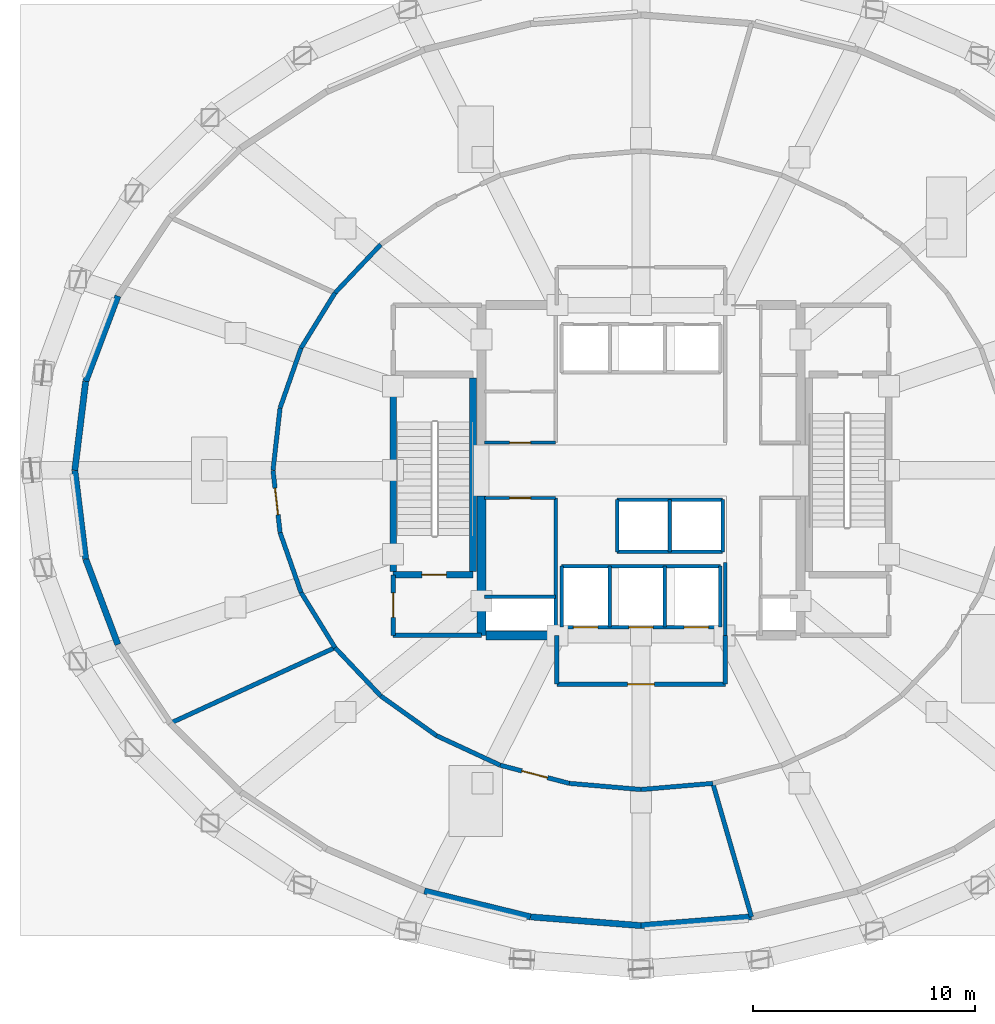
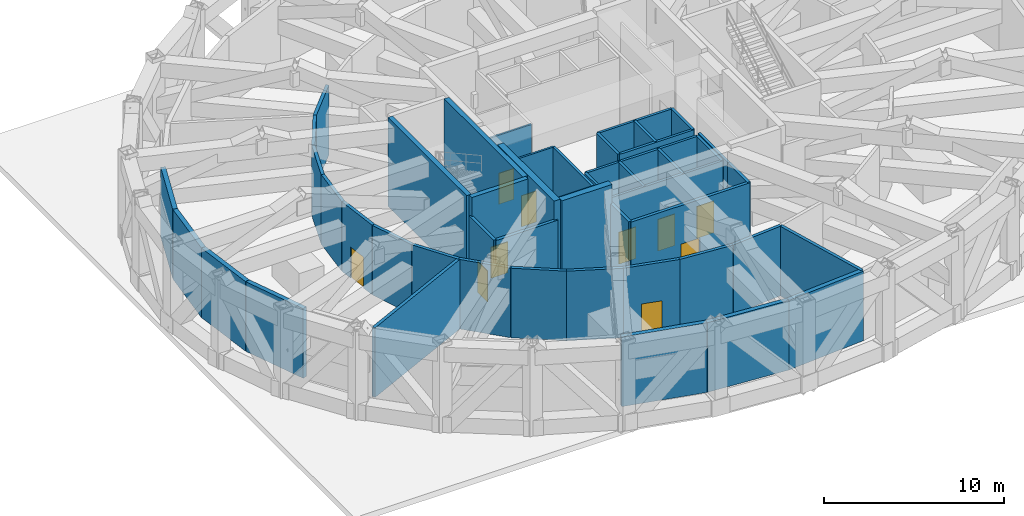
# One storey, part 5 of 12: 48 walls, 10 doors, 10 openings.
"""IFC4 building model written with IfcOpenShell, lengths in metres."""

from ifc_helpers import new_model, si_unit, direction, frame, frame_2d, origin, place, context, subcontext, project, spatial, rectangle, extrude, material, layer, layer_set, type_object, element, fill, save


model = new_model("IFC4")

# Units and contexts
model_context = context("Model", 3, precision=1e-05, world=origin(), true_north=direction((0.0, 1.0)))
body_context = subcontext(model_context, "Body", "Model", "MODEL_VIEW")
ifc_project = project(units=[si_unit("LENGTHUNIT", "METRE"), si_unit("AREAUNIT", "SQUARE_METRE"), si_unit("VOLUMEUNIT", "CUBIC_METRE"), si_unit("PLANEANGLEUNIT", "RADIAN"), si_unit("MASSUNIT", "GRAM", prefix="KILO")], contexts=[model_context])

# Site, building, storey
site_placement = place(None, origin())
site = spatial("IfcSite", under=ifc_project, at=site_placement, CompositionType="ELEMENT")
building_placement = place(site_placement, origin())
building = spatial("IfcBuilding", under=site, at=building_placement, Name="Veldorina Hangang Commons", CompositionType="ELEMENT")
storey_placement = place(building_placement, frame((0.0, 0.0, 24.39990234375)))
storey = spatial("IfcBuildingStorey", under=building, at=storey_placement, Name="L05", CompositionType="ELEMENT", Elevation=24.39990234375)

# Walls
ifc_material_1 = material(Name="Concrete C70/85", Category="concrete")
ifc_layer_1 = layer(ifc_material_1, 0.39990234375)
ifc_layer_set_1 = layer_set([ifc_layer_1], Name="Concrete C70/85")
wall_type_1 = type_object("IfcWallType", Name="CW-RC400-C70", PredefinedType="SHEAR", material=ifc_layer_set_1)
wall_1_placement = place(storey_placement, frame((24.800048828125, 16.550048828125, 0.0), z_axis=(0.0, 0.0, 1.0), x_axis=(0.0, 1.0, 0.0)))
element("IfcWall", 1, at=wall_1_placement, inside=storey, type_object=wall_type_1, Name="L05 W south core shear wall", PredefinedType="SHEAR", context=body_context, shape_type="SweptSolid", body=[
    extrude(rectangle(XDim=6.300048828125, YDim=0.39990234375, at=frame_2d((3.14990234375, 0.0))), origin(), (0.0, 0.0, 1.0), 6.0),
])
wall_2_placement = place(storey_placement, frame((25.0, 16.550048828125, 0.0), z_axis=(0.0, 0.0, 1.0), x_axis=(1.0, 0.0, 0.0)))
element("IfcWall", 2, at=wall_2_placement, inside=storey, type_object=wall_type_1, Name="L05 south-west core shear wall", PredefinedType="SHEAR", context=body_context, shape_type="SweptSolid", body=[
    extrude(rectangle(XDim=3.199951171875, YDim=0.39990234375, at=frame_2d((1.60009765625, 0.0))), origin(), (0.0, 0.0, 1.0), 6.0),
])
ifc_material_2 = material(Name="Stone Roman Travertine", Category="masonry")
ifc_layer_2 = layer(ifc_material_2, 0.280029296875)
ifc_layer_set_2 = layer_set([ifc_layer_2], Name="Stone Roman Travertine")
wall_type_2 = type_object("IfcWallType", Name="EW-TRAV-280", PredefinedType="STANDARD", material=ifc_layer_set_2)
wall_3_placement = place(storey_placement, frame((8.404052734375, 31.8603515625, 0.0), z_axis=(0.0, 0.0, 1.0), x_axis=(-0.352909401731, -0.935657498324, 0.0)))
element("IfcWall", 3, at=wall_3_placement, inside=storey, type_object=wall_type_2, Name="L05 transfer plant exterior stone wall 14", PredefinedType="STANDARD", context=body_context, shape_type="SweptSolid", body=[
    extrude(rectangle(XDim=4.1181640625, YDim=0.280029296875, at=frame_2d((2.05908203125, 0.0))), origin(), (0.0, 0.0, 1.0), 4.710205078125),
])
for number, where, z_axis, x_axis, name in (
    (4, (6.95068359375, 28.007080078125, 0.0), (0.0, 0.0, 1.0), (-0.121555781987, -0.992584601868, 0.0), "L05 transfer plant exterior stone wall 15"),
    (5, (6.4599609375, 24.0, 0.0), (0.0, 0.0, 1.0), (0.121555781987, -0.992584601868, 0.0), "L05 transfer plant exterior stone wall 16"),
):
    element("IfcWall", number, at=place(storey_placement, frame(where, z_axis=z_axis, x_axis=x_axis)), inside=storey, type_object=wall_type_2, Name=name, PredefinedType="STANDARD", context=body_context, shape_type="SweptSolid", body=[
        extrude(rectangle(XDim=4.037109375, YDim=0.280029296875, at=frame_2d((2.0185546875, 0.0))), origin(), (0.0, 0.0, 1.0), 4.710205078125),
    ])
wall_4_placement = place(storey_placement, frame((6.95068359375, 19.992919921875, 0.0), z_axis=(0.0, 0.0, 1.0), x_axis=(0.352909401731, -0.935657498324, 0.0)))
element("IfcWall", 6, at=wall_4_placement, inside=storey, type_object=wall_type_2, Name="L05 transfer plant exterior stone wall 17", PredefinedType="STANDARD", context=body_context, shape_type="SweptSolid", body=[
    extrude(rectangle(XDim=4.1181640625, YDim=0.280029296875, at=frame_2d((2.05908203125, 0.0))), origin(), (0.0, 0.0, 1.0), 4.710205078125),
])
wall_5_placement = place(storey_placement, frame((22.226318359375, 5.0234375, 0.0), z_axis=(0.0, 0.0, 1.0), x_axis=(0.97151283312, -0.236986951292, 0.0)))
element("IfcWall", 7, at=wall_5_placement, inside=storey, type_object=wall_type_2, Name="L05 transfer plant exterior stone wall 22", PredefinedType="STANDARD", context=body_context, shape_type="SweptSolid", body=[
    extrude(rectangle(XDim=4.931396484375, YDim=0.280029296875, at=frame_2d((2.4658203125, 0.0))), origin(), (0.0, 0.0, 1.0), 4.710205078125),
])
for number, where, z_axis, x_axis, name in (
    (8, (27.017333984375, 3.854736328125, 0.0), (0.0, 0.0, 1.0), (0.996876023292, -0.078982239682, 0.0), "L05 transfer plant exterior stone wall 23"),
    (9, (32.0, 3.4599609375, 0.0), (0.0, 0.0, 1.0), (0.996876023292, 0.078982239682, 0.0), "L05 transfer plant exterior stone wall 24"),
):
    element("IfcWall", number, at=place(storey_placement, frame(where, z_axis=z_axis, x_axis=x_axis)), inside=storey, type_object=wall_type_2, Name=name, PredefinedType="STANDARD", context=body_context, shape_type="SweptSolid", body=[
        extrude(rectangle(XDim=4.998291015625, YDim=0.280029296875, at=frame_2d((2.4990234375, 0.0))), origin(), (0.0, 0.0, 1.0), 4.710205078125),
    ])
ifc_material_3 = material(Name="Concrete C50/60", Category="concrete")
ifc_layer_3 = layer(ifc_material_3, 0.300048828125)
ifc_layer_set_3 = layer_set([ifc_layer_3], Name="Concrete C50/60")
wall_type_3 = type_object("IfcWallType", Name="SW-STAIR-300", PredefinedType="SHEAR", material=ifc_layer_set_3)
for number, where, z_axis, x_axis, name in (
    (10, (20.820068359375, 19.429931640625, 0.0), (0.0, 0.0, 1.0), (0.0, 1.0, 0.0), "L05 ST1 outer stair shear wall"),
    (11, (24.419921875, 19.429931640625, 0.0), (0.0, 0.0, 1.0), (0.0, 1.0, 0.0), "L05 ST1 inner stair shear wall"),
):
    element("IfcWall", number, at=place(storey_placement, frame(where, z_axis=z_axis, x_axis=x_axis)), inside=storey, type_object=wall_type_3, Name=name, PredefinedType="SHEAR", context=body_context, shape_type="SweptSolid", body=[
        extrude(rectangle(XDim=8.739990234375, YDim=0.300048828125, at=frame_2d((4.3701171875, 0.0))), origin(), (0.0, 0.0, 1.0), 6.0),
    ])

# Wall, opening, door
wall_6_placement = place(storey_placement, frame((20.820068359375, 19.280029296875, 0.0), z_axis=(0.0, 0.0, 1.0), x_axis=(1.0, 0.0, 0.0)))
wall_6 = element("IfcWall", 12, at=wall_6_placement, inside=storey, type_object=wall_type_3, Name="L05 ST1 south stair shear wall", PredefinedType="SHEAR", context=body_context, shape_type="SweptSolid", body=[
    extrude(rectangle(XDim=3.599853515625, YDim=0.300048828125, at=frame_2d((1.7998046875, 0.0))), origin(), (0.0, 0.0, 1.0), 6.0),
])
opening_1_placement = place(wall_6_placement, frame((1.300048828125, 0.0, 0.0)))
opening_1 = element("IfcOpeningElement", 13, at=opening_1_placement, cuts=wall_6, Name="Opening D-08", PredefinedType="OPENING", context=body_context, shape_type="SweptSolid", body=[
    extrude(rectangle(XDim=1.10009765625, YDim=2.10009765625, at=frame_2d((0.550048828125, 1.050048828125))), frame((0.0, 0.16015625, 0.0), z_axis=(0.0, -1.0, 0.0), x_axis=(1.0, 0.0, 0.0)), (0.0, 0.0, 1.0), 0.320068359375),
])
ifc_material_4 = material(Name="Steel Fire-Rated Smoke Seal", Category="steel")
door_type_1 = type_object("IfcDoorType", Name="DR-FIRE-1100", OperationType="SINGLE_SWING_RIGHT", PredefinedType="DOOR", material=ifc_material_4)
door_1_placement = place(opening_1_placement, origin())
door_1 = element("IfcDoor", 14, at=door_1_placement, inside=storey, type_object=door_type_1, Name="L05 Special Escape Stair ST-1 door", OperationType="SINGLE_SWING_LEFT", OverallHeight=2.10009765625, OverallWidth=1.10009765625, PredefinedType="DOOR", context=body_context, shape_type="SweptSolid", body=[
    extrude(rectangle(XDim=1.10009765625, YDim=2.10009765625, at=frame_2d((0.550048828125, 1.050048828125))), frame((0.0, 0.02490234375, 0.0), z_axis=(0.0, -1.0, 0.0), x_axis=(1.0, 0.0, 0.0)), (0.0, 0.0, 1.0), 0.050048828125),
])
fill(opening_1, door_1)

# Walls
ifc_material_5 = material(Name="Gypsum Fire-Rated Twin Stud Wall", Category="gypsum")
ifc_layer_4 = layer(ifc_material_5, 0.159912109375)
ifc_layer_set_4 = layer_set([ifc_layer_4], Name="Gypsum Fire-Rated Twin Stud Wall")
wall_type_4 = type_object("IfcWallType", Name="WL-FIRE-160", PredefinedType="SOLIDWALL", material=ifc_layer_set_4)
wall_7_placement = place(storey_placement, frame((35.800048828125, 16.550048828125, 0.0), z_axis=(0.0, 0.0, 1.0), x_axis=(0.0, 1.0, 0.0)))
element("IfcWall", 15, at=wall_7_placement, inside=storey, type_object=wall_type_4, Name="L05 Lift passage SW wall 009", PredefinedType="SOLIDWALL", context=body_context, shape_type="SweptSolid", body=[
    extrude(rectangle(XDim=3.300048828125, YDim=0.159912109375, at=frame_2d((1.64990234375, 0.0))), origin(), (0.0, 0.0, 1.0), 4.710205078125),
])
for number, where, z_axis, x_axis, name in (
    (16, (30.919921875, 22.679931640625, 0.0), (0.0, 0.0, 1.0), (1.0, 0.0, 0.0), "L05 Shuttle-high front shaft wall 021"),
    (17, (30.919921875, 20.320068359375, 0.0), (0.0, 0.0, 1.0), (1.0, 0.0, 0.0), "L05 Shuttle-high rear shaft wall 022"),
):
    element("IfcWall", number, at=place(storey_placement, frame(where, z_axis=z_axis, x_axis=x_axis)), inside=storey, type_object=wall_type_4, Name=name, PredefinedType="SOLIDWALL", context=body_context, shape_type="SweptSolid", body=[
        extrude(rectangle(XDim=4.760009765625, YDim=0.159912109375, at=frame_2d((2.3798828125, 0.0))), origin(), (0.0, 0.0, 1.0), 4.710205078125),
    ])
for number, where, z_axis, x_axis, name in (
    (18, (30.919921875, 20.320068359375, 0.0), (0.0, 0.0, 1.0), (0.0, 1.0, 0.0), "L05 SL-1 west shaft wall 023"),
    (19, (33.300048828125, 20.320068359375, 0.0), (0.0, 0.0, 1.0), (0.0, 1.0, 0.0), "L05 SL-1 east shaft wall 024"),
    (20, (35.679931640625, 20.320068359375, 0.0), (0.0, 0.0, 1.0), (0.0, 1.0, 0.0), "L05 SL-2 east shaft wall 025"),
):
    element("IfcWall", number, at=place(storey_placement, frame(where, z_axis=z_axis, x_axis=x_axis)), inside=storey, type_object=wall_type_4, Name=name, PredefinedType="SOLIDWALL", context=body_context, shape_type="SweptSolid", body=[
        extrude(rectangle(XDim=2.35986328125, YDim=0.159912109375, at=frame_2d((1.179931640625, 0.0))), origin(), (0.0, 0.0, 1.0), 4.710205078125),
    ])

# Wall, openings, doors
wall_8_placement = place(storey_placement, frame((28.419921875, 16.919921875, 0.0), z_axis=(0.0, 0.0, 1.0), x_axis=(1.0, 0.0, 0.0)))
wall_8 = element("IfcWall", 21, at=wall_8_placement, inside=storey, type_object=wall_type_4, Name="L05 Emergency front shaft wall 026", PredefinedType="SOLIDWALL", context=body_context, shape_type="SweptSolid", body=[
    extrude(rectangle(XDim=7.16015625, YDim=0.159912109375, at=frame_2d((3.580078125, 0.0))), origin(), (0.0, 0.0, 1.0), 4.710205078125),
])
opening_2_placement = place(wall_8_placement, frame((0.530029296875, 0.0, 0.0)))
opening_2 = element("IfcOpeningElement", 22, at=opening_2_placement, cuts=wall_8, Name="Opening LD-03", PredefinedType="OPENING", context=body_context, shape_type="SweptSolid", body=[
    extrude(rectangle(XDim=1.10009765625, YDim=2.14990234375, at=frame_2d((0.550048828125, 1.074951171875))), frame((0.0, 0.08984375, 0.0), z_axis=(0.0, -1.0, 0.0), x_axis=(1.0, 0.0, 0.0)), (0.0, 0.0, 1.0), 0.179931640625),
])
opening_3_placement = place(wall_8_placement, frame((3.030029296875, 0.0, 0.0)))
opening_3 = element("IfcOpeningElement", 23, at=opening_3_placement, cuts=wall_8, Name="Opening LD-03", PredefinedType="OPENING", context=body_context, shape_type="SweptSolid", body=[
    extrude(rectangle(XDim=1.10009765625, YDim=2.14990234375, at=frame_2d((0.550048828125, 1.074951171875))), frame((0.0, 0.08984375, 0.0), z_axis=(0.0, -1.0, 0.0), x_axis=(1.0, 0.0, 0.0)), (0.0, 0.0, 1.0), 0.179931640625),
])
opening_4_placement = place(wall_8_placement, frame((5.530029296875, 0.0, 0.0)))
opening_4 = element("IfcOpeningElement", 24, at=opening_4_placement, cuts=wall_8, Name="Opening LD-03", PredefinedType="OPENING", context=body_context, shape_type="SweptSolid", body=[
    extrude(rectangle(XDim=1.10009765625, YDim=2.14990234375, at=frame_2d((0.550048828125, 1.074951171875))), frame((0.0, 0.08984375, 0.0), z_axis=(0.0, -1.0, 0.0), x_axis=(1.0, 0.0, 0.0)), (0.0, 0.0, 1.0), 0.179931640625),
])
ifc_material_6 = material(Name="Stainless Steel Firefighting Lift Door", Category="steel")
door_type_2 = type_object("IfcDoorType", Name="DR-LIFT-FF1100", OperationType="SLIDING_TO_RIGHT", PredefinedType="DOOR", material=ifc_material_6)
door_2_placement = place(opening_2_placement, origin())
door_2 = element("IfcDoor", 25, at=door_2_placement, inside=storey, type_object=door_type_2, Name="L05 Emergency lift FFL-1 landing door 009", OperationType="SLIDING_TO_RIGHT", OverallHeight=2.14990234375, OverallWidth=1.10009765625, PredefinedType="DOOR", context=body_context, shape_type="SweptSolid", body=[
    extrude(rectangle(XDim=1.10009765625, YDim=2.14990234375, at=frame_2d((0.550048828125, 1.074951171875))), frame((0.0, 0.02490234375, 0.0), z_axis=(0.0, -1.0, 0.0), x_axis=(1.0, 0.0, 0.0)), (0.0, 0.0, 1.0), 0.050048828125),
])
fill(opening_2, door_2)
door_3_placement = place(opening_3_placement, origin())
door_3 = element("IfcDoor", 26, at=door_3_placement, inside=storey, type_object=door_type_2, Name="L05 Emergency lift FFL-2 landing door 010", OperationType="SLIDING_TO_RIGHT", OverallHeight=2.14990234375, OverallWidth=1.10009765625, PredefinedType="DOOR", context=body_context, shape_type="SweptSolid", body=[
    extrude(rectangle(XDim=1.10009765625, YDim=2.14990234375, at=frame_2d((0.550048828125, 1.074951171875))), frame((0.0, 0.02490234375, 0.0), z_axis=(0.0, -1.0, 0.0), x_axis=(1.0, 0.0, 0.0)), (0.0, 0.0, 1.0), 0.050048828125),
])
fill(opening_3, door_3)
door_4_placement = place(opening_4_placement, origin())
door_4 = element("IfcDoor", 27, at=door_4_placement, inside=storey, type_object=door_type_2, Name="L05 Emergency lift EVL-1 landing door 011", OperationType="SLIDING_TO_RIGHT", OverallHeight=2.14990234375, OverallWidth=1.10009765625, PredefinedType="DOOR", context=body_context, shape_type="SweptSolid", body=[
    extrude(rectangle(XDim=1.10009765625, YDim=2.14990234375, at=frame_2d((0.550048828125, 1.074951171875))), frame((0.0, 0.02490234375, 0.0), z_axis=(0.0, -1.0, 0.0), x_axis=(1.0, 0.0, 0.0)), (0.0, 0.0, 1.0), 0.050048828125),
])
fill(opening_4, door_4)

# Walls
wall_9_placement = place(storey_placement, frame((28.419921875, 19.679931640625, 0.0), z_axis=(0.0, 0.0, 1.0), x_axis=(1.0, 0.0, 0.0)))
element("IfcWall", 28, at=wall_9_placement, inside=storey, type_object=wall_type_4, Name="L05 Emergency rear shaft wall 027", PredefinedType="SOLIDWALL", context=body_context, shape_type="SweptSolid", body=[
    extrude(rectangle(XDim=7.16015625, YDim=0.159912109375, at=frame_2d((3.580078125, 0.0))), origin(), (0.0, 0.0, 1.0), 4.710205078125),
])
for number, where, z_axis, x_axis, name in (
    (29, (28.419921875, 16.919921875, 0.0), (0.0, 0.0, 1.0), (0.0, 1.0, 0.0), "L05 FFL-1 west shaft wall 028"),
    (30, (30.580078125, 16.919921875, 0.0), (0.0, 0.0, 1.0), (0.0, 1.0, 0.0), "L05 FFL-1 east shaft wall 029"),
    (31, (33.080078125, 16.919921875, 0.0), (0.0, 0.0, 1.0), (0.0, 1.0, 0.0), "L05 FFL-2 east shaft wall 030"),
    (32, (35.580078125, 16.919921875, 0.0), (0.0, 0.0, 1.0), (0.0, 1.0, 0.0), "L05 EVL-1 east shaft wall 031"),
):
    element("IfcWall", number, at=place(storey_placement, frame(where, z_axis=z_axis, x_axis=x_axis)), inside=storey, type_object=wall_type_4, Name=name, PredefinedType="SOLIDWALL", context=body_context, shape_type="SweptSolid", body=[
        extrude(rectangle(XDim=2.760009765625, YDim=0.159912109375, at=frame_2d((1.3798828125, 0.0))), origin(), (0.0, 0.0, 1.0), 4.710205078125),
    ])
wall_10_placement = place(storey_placement, frame((24.949951171875, 18.300048828125, 0.0), z_axis=(0.0, 0.0, 1.0), x_axis=(1.0, 0.0, 0.0)))
element("IfcWall", 33, at=wall_10_placement, inside=storey, type_object=wall_type_4, Name="L05 Electrical riser wall 035", PredefinedType="SOLIDWALL", context=body_context, shape_type="SweptSolid", body=[
    extrude(rectangle(XDim=3.199951171875, YDim=0.159912109375, at=frame_2d((1.60009765625, 0.0))), origin(), (0.0, 0.0, 1.0), 4.710205078125),
])
wall_11_placement = place(storey_placement, frame((28.14990234375, 16.699951171875, 0.0), z_axis=(0.0, 0.0, 1.0), x_axis=(0.0, 1.0, 0.0)))
element("IfcWall", 34, at=wall_11_placement, inside=storey, type_object=wall_type_4, Name="L05 SW core inner wall 036", PredefinedType="SOLIDWALL", context=body_context, shape_type="SweptSolid", body=[
    extrude(rectangle(XDim=6.050048828125, YDim=0.159912109375, at=frame_2d((3.02490234375, 0.0))), origin(), (0.0, 0.0, 1.0), 4.710205078125),
])

# Wall, opening, door
ifc_material_7 = material(Name="Concrete Blockwork Fire Wall C30/37", Category="masonry")
ifc_layer_5 = layer(ifc_material_7, 0.199951171875)
ifc_layer_set_5 = layer_set([ifc_layer_5], Name="Concrete Blockwork Fire Wall C30/37")
wall_type_5 = type_object("IfcWallType", Name="WL-FIRE-200", PredefinedType="SOLIDWALL", material=ifc_layer_set_5)
wall_12_placement = place(storey_placement, frame((20.820068359375, 16.550048828125, 0.0), z_axis=(0.0, 0.0, 1.0), x_axis=(0.0, 1.0, 0.0)))
wall_12 = element("IfcWall", 35, at=wall_12_placement, inside=storey, type_object=wall_type_5, Name="L05 West vestibule outer wall 001", PredefinedType="SOLIDWALL", context=body_context, shape_type="SweptSolid", body=[
    extrude(rectangle(XDim=2.72998046875, YDim=0.199951171875, at=frame_2d((1.364990234375, 0.0))), origin(), (0.0, 0.0, 1.0), 4.710205078125),
])
opening_5_placement = place(wall_12_placement, frame((0.81494140625, 0.0, 0.0)))
opening_5 = element("IfcOpeningElement", 36, at=opening_5_placement, cuts=wall_12, Name="Opening D-08", PredefinedType="OPENING", context=body_context, shape_type="SweptSolid", body=[
    extrude(rectangle(XDim=1.10009765625, YDim=2.10009765625, at=frame_2d((0.550048828125, 1.050048828125))), frame((0.0, 0.10986328125, 0.0), z_axis=(0.0, -1.0, 0.0), x_axis=(1.0, 0.0, 0.0)), (0.0, 0.0, 1.0), 0.219970703125),
])
door_5_placement = place(opening_5_placement, origin())
door_5 = element("IfcDoor", 37, at=door_5_placement, inside=storey, type_object=door_type_1, Name="L05 West vestibule west door 001", OperationType="SINGLE_SWING_LEFT", OverallHeight=2.10009765625, OverallWidth=1.10009765625, PredefinedType="DOOR", context=body_context, shape_type="SweptSolid", body=[
    extrude(rectangle(XDim=1.10009765625, YDim=2.10009765625, at=frame_2d((0.550048828125, 1.050048828125))), frame((0.0, 0.02490234375, 0.0), z_axis=(0.0, -1.0, 0.0), x_axis=(1.0, 0.0, 0.0)), (0.0, 0.0, 1.0), 0.050048828125),
])
fill(opening_5, door_5)

# Walls
wall_13_placement = place(storey_placement, frame((20.820068359375, 16.550048828125, 0.0), z_axis=(0.0, 0.0, 1.0), x_axis=(1.0, 0.0, 0.0)))
element("IfcWall", 38, at=wall_13_placement, inside=storey, type_object=wall_type_5, Name="L05 West vestibule south wall 002", PredefinedType="SOLIDWALL", context=body_context, shape_type="SweptSolid", body=[
    extrude(rectangle(XDim=3.97998046875, YDim=0.199951171875, at=frame_2d((1.989990234375, 0.0))), origin(), (0.0, 0.0, 1.0), 4.710205078125),
])
for number, where, z_axis, x_axis, name in (
    (39, (28.199951171875, 14.35009765625, 0.0), (0.0, 0.0, 1.0), (0.0, 1.0, 0.0), "L05 FF lobby west wall 012"),
    (40, (35.800048828125, 14.35009765625, 0.0), (0.0, 0.0, 1.0), (0.0, 1.0, 0.0), "L05 FF lobby east wall 013"),
):
    element("IfcWall", number, at=place(storey_placement, frame(where, z_axis=z_axis, x_axis=x_axis)), inside=storey, type_object=wall_type_5, Name=name, PredefinedType="SOLIDWALL", context=body_context, shape_type="SweptSolid", body=[
        extrude(rectangle(XDim=2.199951171875, YDim=0.199951171875, at=frame_2d((1.10009765625, 0.0))), origin(), (0.0, 0.0, 1.0), 4.710205078125),
    ])

# Wall, opening, door
wall_14_placement = place(storey_placement, frame((28.199951171875, 14.35009765625, 0.0), z_axis=(0.0, 0.0, 1.0), x_axis=(1.0, 0.0, 0.0)))
wall_14 = element("IfcWall", 41, at=wall_14_placement, inside=storey, type_object=wall_type_5, Name="L05 FF lobby south wall 014", PredefinedType="SOLIDWALL", context=body_context, shape_type="SweptSolid", body=[
    extrude(rectangle(XDim=7.60009765625, YDim=0.199951171875, at=frame_2d((3.800048828125, 0.0))), origin(), (0.0, 0.0, 1.0), 4.710205078125),
])
opening_6_placement = place(wall_14_placement, frame((3.199951171875, 0.0, 0.0)))
opening_6 = element("IfcOpeningElement", 42, at=opening_6_placement, cuts=wall_14, Name="Opening D-09", PredefinedType="OPENING", context=body_context, shape_type="SweptSolid", body=[
    extrude(rectangle(XDim=1.199951171875, YDim=2.10009765625, at=frame_2d((0.60009765625, 1.050048828125))), frame((0.0, 0.10986328125, 0.0), z_axis=(0.0, -1.0, 0.0), x_axis=(1.0, 0.0, 0.0)), (0.0, 0.0, 1.0), 0.219970703125),
])
ifc_material_8 = material(Name="Steel Fire-Rated Corridor Door", Category="steel")
door_type_3 = type_object("IfcDoorType", Name="DR-FIRE-1200", OperationType="SINGLE_SWING_LEFT", PredefinedType="DOOR", material=ifc_material_8)
door_6_placement = place(opening_6_placement, origin())
door_6 = element("IfcDoor", 43, at=door_6_placement, inside=storey, type_object=door_type_3, Name="L05 FF lobby south corridor door 005", OperationType="SINGLE_SWING_LEFT", OverallHeight=2.10009765625, OverallWidth=1.199951171875, PredefinedType="DOOR", context=body_context, shape_type="SweptSolid", body=[
    extrude(rectangle(XDim=1.199951171875, YDim=2.10009765625, at=frame_2d((0.60009765625, 1.050048828125))), frame((0.0, 0.02490234375, 0.0), z_axis=(0.0, -1.0, 0.0), x_axis=(1.0, 0.0, 0.0)), (0.0, 0.0, 1.0), 0.050048828125),
])
fill(opening_6, door_6)

# Walls
wall_15_placement = place(storey_placement, frame((20.261962890625, 34.182373046875, 0.0), z_axis=(0.0, 0.0, 1.0), x_axis=(-0.687248541225, -0.726422358263, 0.0)))
element("IfcWall", 44, at=wall_15_placement, inside=storey, type_object=wall_type_5, Name="L05 L05 corridor wall 12 059", PredefinedType="SOLIDWALL", context=body_context, shape_type="SweptSolid", body=[
    extrude(rectangle(XDim=3.00390625, YDim=0.199951171875, at=frame_2d((1.501953125, 0.0))), origin(), (0.0, 0.0, 1.0), 4.710205078125),
])
wall_16_placement = place(storey_placement, frame((18.197509765625, 32.000244140625, 0.0), z_axis=(0.0, 0.0, 1.0), x_axis=(-0.524539864295, -0.851385888282, 0.0)))
element("IfcWall", 45, at=wall_16_placement, inside=storey, type_object=wall_type_5, Name="L05 L05 corridor wall 13 060", PredefinedType="SOLIDWALL", context=body_context, shape_type="SweptSolid", body=[
    extrude(rectangle(XDim=2.92431640625, YDim=0.199951171875, at=frame_2d((1.462158203125, 0.0))), origin(), (0.0, 0.0, 1.0), 4.710205078125),
])
wall_17_placement = place(storey_placement, frame((16.66357421875, 29.510498046875, 0.0), z_axis=(0.0, 0.0, 1.0), x_axis=(-0.330091990738, -0.943948768552, 0.0)))
element("IfcWall", 46, at=wall_17_placement, inside=storey, type_object=wall_type_5, Name="L05 L05 corridor wall 14 061", PredefinedType="SOLIDWALL", context=body_context, shape_type="SweptSolid", body=[
    extrude(rectangle(XDim=2.861572265625, YDim=0.199951171875, at=frame_2d((1.4306640625, 0.0))), origin(), (0.0, 0.0, 1.0), 4.710205078125),
])
wall_18_placement = place(storey_placement, frame((15.718994140625, 26.809326171875, 0.0), z_axis=(0.0, 0.0, 1.0), x_axis=(-0.112857376865, -0.993611197847, 0.0)))
element("IfcWall", 47, at=wall_18_placement, inside=storey, type_object=wall_type_5, Name="L05 L05 corridor wall 15 062", PredefinedType="SOLIDWALL", context=body_context, shape_type="SweptSolid", body=[
    extrude(rectangle(XDim=2.827392578125, YDim=0.199951171875, at=frame_2d((1.41357421875, 0.0))), origin(), (0.0, 0.0, 1.0), 4.710205078125),
])

# Wall, opening, door
wall_19_placement = place(storey_placement, frame((15.39990234375, 24.0, 0.0), z_axis=(0.0, 0.0, 1.0), x_axis=(0.112857376865, -0.993611197847, 0.0)))
wall_19 = element("IfcWall", 48, at=wall_19_placement, inside=storey, type_object=wall_type_5, Name="L05 L05 corridor wall 16 063", PredefinedType="SOLIDWALL", context=body_context, shape_type="SweptSolid", body=[
    extrude(rectangle(XDim=2.827392578125, YDim=0.199951171875, at=frame_2d((1.41357421875, 0.0))), origin(), (0.0, 0.0, 1.0), 4.710205078125),
])
opening_7_placement = place(wall_19_placement, frame((0.813720703125, 0.0, 0.0)))
opening_7 = element("IfcOpeningElement", 49, at=opening_7_placement, cuts=wall_19, Name="Opening D-10", PredefinedType="OPENING", context=body_context, shape_type="SweptSolid", body=[
    extrude(rectangle(XDim=1.199951171875, YDim=2.10009765625, at=frame_2d((0.60009765625, 1.050048828125))), frame((0.0, 0.10986328125, 0.0), z_axis=(0.0, -1.0, 0.0), x_axis=(1.0, 0.0, 0.0)), (0.0, 0.0, 1.0), 0.219970703125),
])
ifc_material_9 = material(Name="Steel Heavy-Duty Acoustic Plant", Category="steel")
door_type_4 = type_object("IfcDoorType", Name="DR-PLANT-1200", OperationType="SINGLE_SWING_RIGHT", PredefinedType="DOOR", material=ifc_material_9)
door_7_placement = place(opening_7_placement, origin())
door_7 = element("IfcDoor", 50, at=door_7_placement, inside=storey, type_object=door_type_4, Name="L05 Telecom Distribution Plant Room door 021", OperationType="SINGLE_SWING_LEFT", OverallHeight=2.10009765625, OverallWidth=1.199951171875, PredefinedType="DOOR", context=body_context, shape_type="SweptSolid", body=[
    extrude(rectangle(XDim=1.199951171875, YDim=2.10009765625, at=frame_2d((0.60009765625, 1.050048828125))), frame((0.0, 0.02490234375, 0.0), z_axis=(0.0, -1.0, 0.0), x_axis=(1.0, 0.0, 0.0)), (0.0, 0.0, 1.0), 0.050048828125),
])
fill(opening_7, door_7)

# Walls
wall_20_placement = place(storey_placement, frame((15.718994140625, 21.190673828125, 0.0), z_axis=(0.0, 0.0, 1.0), x_axis=(0.330091990738, -0.943948768552, 0.0)))
element("IfcWall", 51, at=wall_20_placement, inside=storey, type_object=wall_type_5, Name="L05 L05 corridor wall 17 064", PredefinedType="SOLIDWALL", context=body_context, shape_type="SweptSolid", body=[
    extrude(rectangle(XDim=2.861572265625, YDim=0.199951171875, at=frame_2d((1.4306640625, 0.0))), origin(), (0.0, 0.0, 1.0), 4.710205078125),
])
wall_21_placement = place(storey_placement, frame((16.66357421875, 18.489501953125, 0.0), z_axis=(0.0, 0.0, 1.0), x_axis=(0.524539864295, -0.851385888282, 0.0)))
element("IfcWall", 52, at=wall_21_placement, inside=storey, type_object=wall_type_5, Name="L05 L05 corridor wall 18 065", PredefinedType="SOLIDWALL", context=body_context, shape_type="SweptSolid", body=[
    extrude(rectangle(XDim=2.92431640625, YDim=0.199951171875, at=frame_2d((1.462158203125, 0.0))), origin(), (0.0, 0.0, 1.0), 4.710205078125),
])
wall_22_placement = place(storey_placement, frame((18.197509765625, 15.999755859375, 0.0), z_axis=(0.0, 0.0, 1.0), x_axis=(0.687248541225, -0.726422358263, 0.0)))
element("IfcWall", 53, at=wall_22_placement, inside=storey, type_object=wall_type_5, Name="L05 L05 corridor wall 19 066", PredefinedType="SOLIDWALL", context=body_context, shape_type="SweptSolid", body=[
    extrude(rectangle(XDim=3.00390625, YDim=0.199951171875, at=frame_2d((1.501953125, 0.0))), origin(), (0.0, 0.0, 1.0), 4.710205078125),
])
wall_23_placement = place(storey_placement, frame((20.261962890625, 13.817626953125, 0.0), z_axis=(0.0, 0.0, 1.0), x_axis=(0.814667287654, -0.579928625286, 0.0)))
element("IfcWall", 54, at=wall_23_placement, inside=storey, type_object=wall_type_5, Name="L05 L05 corridor wall 20 067", PredefinedType="SOLIDWALL", context=body_context, shape_type="SweptSolid", body=[
    extrude(rectangle(XDim=3.087890625, YDim=0.199951171875, at=frame_2d((1.5439453125, 0.0))), origin(), (0.0, 0.0, 1.0), 4.710205078125),
])
wall_24_placement = place(storey_placement, frame((22.777587890625, 12.02685546875, 0.0), z_axis=(0.0, 0.0, 1.0), x_axis=(0.907205736671, -0.420687236971, 0.0)))
element("IfcWall", 55, at=wall_24_placement, inside=storey, type_object=wall_type_5, Name="L05 L05 corridor wall 21 068", PredefinedType="SOLIDWALL", context=body_context, shape_type="SweptSolid", body=[
    extrude(rectangle(XDim=3.163330078125, YDim=0.199951171875, at=frame_2d((1.58154296875, 0.0))), origin(), (0.0, 0.0, 1.0), 4.710205078125),
])

# Wall, opening, door
wall_25_placement = place(storey_placement, frame((25.6474609375, 10.696044921875, 0.0), z_axis=(0.0, 0.0, 1.0), x_axis=(0.967085339773, -0.2544522462, 0.0)))
wall_25 = element("IfcWall", 56, at=wall_25_placement, inside=storey, type_object=wall_type_5, Name="L05 L05 corridor wall 22 069", PredefinedType="SOLIDWALL", context=body_context, shape_type="SweptSolid", body=[
    extrude(rectangle(XDim=3.219970703125, YDim=0.199951171875, at=frame_2d((1.60986328125, 0.0))), origin(), (0.0, 0.0, 1.0), 4.710205078125),
])
opening_8_placement = place(wall_25_placement, frame((1.010009765625, 0.0, 0.0)))
opening_8 = element("IfcOpeningElement", 57, at=opening_8_placement, cuts=wall_25, Name="Opening D-10", PredefinedType="OPENING", context=body_context, shape_type="SweptSolid", body=[
    extrude(rectangle(XDim=1.199951171875, YDim=2.10009765625, at=frame_2d((0.60009765625, 1.050048828125))), frame((0.0, 0.10986328125, 0.0), z_axis=(0.0, -1.0, 0.0), x_axis=(1.0, 0.0, 0.0)), (0.0, 0.0, 1.0), 0.219970703125),
])
door_8_placement = place(opening_8_placement, origin())
door_8 = element("IfcDoor", 58, at=door_8_placement, inside=storey, type_object=door_type_4, Name="L05 Transfer Booster Pump and Tank Room door 022", OperationType="SINGLE_SWING_RIGHT", OverallHeight=2.10009765625, OverallWidth=1.199951171875, PredefinedType="DOOR", context=body_context, shape_type="SweptSolid", body=[
    extrude(rectangle(XDim=1.199951171875, YDim=2.10009765625, at=frame_2d((0.60009765625, 1.050048828125))), frame((0.0, 0.02490234375, 0.0), z_axis=(0.0, -1.0, 0.0), x_axis=(1.0, 0.0, 0.0)), (0.0, 0.0, 1.0), 0.050048828125),
])
fill(opening_8, door_8)

# Walls
for number, where, z_axis, x_axis, name in (
    (59, (28.761474609375, 9.876708984375, 0.0), (0.0, 0.0, 1.0), (0.996372169556, -0.085102877354, 0.0), "L05 L05 corridor wall 23 070"),
    (60, (32.0, 9.60009765625, 0.0), (0.0, 0.0, 1.0), (0.996372169556, 0.085102877354, 0.0), "L05 L05 corridor wall 24 071"),
):
    element("IfcWall", number, at=place(storey_placement, frame(where, z_axis=z_axis, x_axis=x_axis)), inside=storey, type_object=wall_type_5, Name=name, PredefinedType="SOLIDWALL", context=body_context, shape_type="SweptSolid", body=[
        extrude(rectangle(XDim=3.250244140625, YDim=0.199951171875, at=frame_2d((1.625, 0.0))), origin(), (0.0, 0.0, 1.0), 4.710205078125),
    ])
wall_26_placement = place(storey_placement, frame((18.197509765625, 15.999755859375, 0.0), z_axis=(0.0, 0.0, 1.0), x_axis=(-0.90886590771, -0.417088434031, 0.0)))
element("IfcWall", 61, at=wall_26_placement, inside=storey, type_object=wall_type_5, Name="L05 Transfer Booster Pump and Tank Room divider 082", PredefinedType="SOLIDWALL", context=body_context, shape_type="SweptSolid", body=[
    extrude(rectangle(XDim=8.178466796875, YDim=0.199951171875, at=frame_2d((4.08935546875, 0.0))), origin(), (0.0, 0.0, 1.0), 4.710205078125),
])
wall_27_placement = place(storey_placement, frame((35.238525390625, 9.876708984375, 0.0), z_axis=(0.0, 0.0, 1.0), x_axis=(0.278196122184, -0.960524293083, 0.0)))
element("IfcWall", 62, at=wall_27_placement, inside=storey, type_object=wall_type_5, Name="L05 Main Electrical Switchgear Room divider 083", PredefinedType="SOLIDWALL", context=body_context, shape_type="SweptSolid", body=[
    extrude(rectangle(XDim=6.26953125, YDim=0.199951171875, at=frame_2d((3.134765625, 0.0))), origin(), (0.0, 0.0, 1.0), 4.710205078125),
])

# Wall, opening, door
ifc_material_10 = material(Name="Gypsum Acoustic Stud Partition", Category="gypsum")
ifc_layer_6 = layer(ifc_material_10, 0.1201171875)
ifc_layer_set_6 = layer_set([ifc_layer_6], Name="Gypsum Acoustic Stud Partition")
wall_type_6 = type_object("IfcWallType", Name="WL-PART-120", PredefinedType="PARTITIONING", material=ifc_layer_set_6)
wall_28_placement = place(storey_placement, frame((24.949951171875, 25.25, 0.0), z_axis=(0.0, 0.0, 1.0), x_axis=(1.0, 0.0, 0.0)))
wall_28 = element("IfcWall", 63, at=wall_28_placement, inside=storey, type_object=wall_type_6, Name="L05 NW service south wall 039", PredefinedType="PARTITIONING", context=body_context, shape_type="SweptSolid", body=[
    extrude(rectangle(XDim=3.199951171875, YDim=0.1201171875, at=frame_2d((1.60009765625, 0.0))), origin(), (0.0, 0.0, 1.0), 4.710205078125),
])
opening_9_placement = place(wall_28_placement, frame((1.125, 0.0, 0.0)))
opening_9 = element("IfcOpeningElement", 64, at=opening_9_placement, cuts=wall_28, Name="Opening D-02", PredefinedType="OPENING", context=body_context, shape_type="SweptSolid", body=[
    extrude(rectangle(XDim=0.949951171875, YDim=2.10009765625, at=frame_2d((0.47509765625, 1.050048828125))), frame((0.0, 0.070068359375, 0.0), z_axis=(0.0, -1.0, 0.0), x_axis=(1.0, 0.0, 0.0)), (0.0, 0.0, 1.0), 0.14013671875),
])
ifc_material_11 = material(Name="Timber Solid Core Acoustic", Category="wood")
door_type_5 = type_object("IfcDoorType", Name="DR-INT-950", OperationType="SINGLE_SWING_LEFT", PredefinedType="DOOR", material=ifc_material_11)
door_9_placement = place(opening_9_placement, origin())
door_9 = element("IfcDoor", 65, at=door_9_placement, inside=storey, type_object=door_type_5, Name="L05 Housekeeping pantry door 013", OperationType="SINGLE_SWING_LEFT", OverallHeight=2.10009765625, OverallWidth=0.949951171875, PredefinedType="DOOR", context=body_context, shape_type="SweptSolid", body=[
    extrude(rectangle(XDim=0.949951171875, YDim=2.10009765625, at=frame_2d((0.47509765625, 1.050048828125))), frame((0.0, 0.02490234375, 0.0), z_axis=(0.0, -1.0, 0.0), x_axis=(1.0, 0.0, 0.0)), (0.0, 0.0, 1.0), 0.050048828125),
])
fill(opening_9, door_9)

wall_29_placement = place(storey_placement, frame((24.949951171875, 22.75, 0.0), z_axis=(0.0, 0.0, 1.0), x_axis=(1.0, 0.0, 0.0)))
wall_29 = element("IfcWall", 66, at=wall_29_placement, inside=storey, type_object=wall_type_6, Name="L05 SW service north wall 040", PredefinedType="PARTITIONING", context=body_context, shape_type="SweptSolid", body=[
    extrude(rectangle(XDim=3.199951171875, YDim=0.1201171875, at=frame_2d((1.60009765625, 0.0))), origin(), (0.0, 0.0, 1.0), 4.710205078125),
])
opening_10_placement = place(wall_29_placement, frame((1.125, 0.0, 0.0)))
opening_10 = element("IfcOpeningElement", 67, at=opening_10_placement, cuts=wall_29, Name="Opening D-02", PredefinedType="OPENING", context=body_context, shape_type="SweptSolid", body=[
    extrude(rectangle(XDim=0.949951171875, YDim=2.10009765625, at=frame_2d((0.47509765625, 1.050048828125))), frame((0.0, 0.070068359375, 0.0), z_axis=(0.0, -1.0, 0.0), x_axis=(1.0, 0.0, 0.0)), (0.0, 0.0, 1.0), 0.14013671875),
])
door_10_placement = place(opening_10_placement, origin())
door_10 = element("IfcDoor", 68, at=door_10_placement, inside=storey, type_object=door_type_5, Name="L05 Waste sorting door 015", OperationType="SINGLE_SWING_LEFT", OverallHeight=2.10009765625, OverallWidth=0.949951171875, PredefinedType="DOOR", context=body_context, shape_type="SweptSolid", body=[
    extrude(rectangle(XDim=0.949951171875, YDim=2.10009765625, at=frame_2d((0.47509765625, 1.050048828125))), frame((0.0, 0.02490234375, 0.0), z_axis=(0.0, -1.0, 0.0), x_axis=(1.0, 0.0, 0.0)), (0.0, 0.0, 1.0), 0.050048828125),
])
fill(opening_10, door_10)

save(model, "model.ifc")
